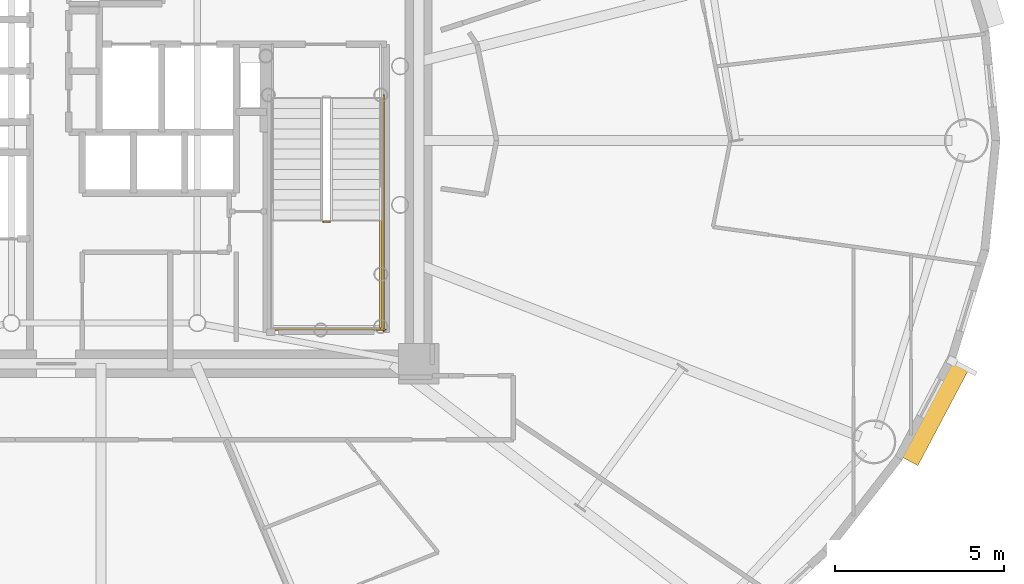
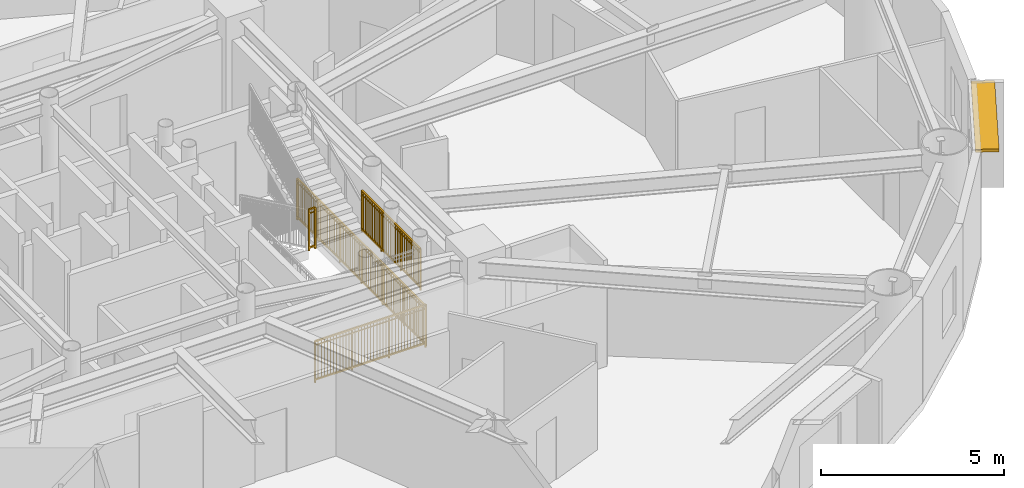
# One storey, part 19 of 21: 4 railings, 1 shading device.
"""IFC4 building model written with IfcOpenShell, lengths in metres."""

from ifc_helpers import new_model, si_unit, direction, frame, origin, origin_2d, place, context, subcontext, project, spatial, rectangle, extrude, source, transform, mapped, material, layer, layer_set, type_object, element, save


model = new_model("IFC4")

# Units and contexts
model_context = context("Model", 3, precision=1e-05, world=origin(), true_north=direction((0.0, 1.0)))
body_context = subcontext(model_context, "Body", "Model", "MODEL_VIEW")
ifc_project = project(units=[si_unit("LENGTHUNIT", "METRE"), si_unit("AREAUNIT", "SQUARE_METRE"), si_unit("VOLUMEUNIT", "CUBIC_METRE"), si_unit("PLANEANGLEUNIT", "RADIAN"), si_unit("MASSUNIT", "GRAM", prefix="KILO")], contexts=[model_context])

# Site, building, storey
site_placement = place(None, origin())
site = spatial("IfcSite", under=ifc_project, at=site_placement, CompositionType="ELEMENT")
building_placement = place(site_placement, origin())
building = spatial("IfcBuilding", under=site, at=building_placement, Name="Linh Dai School and Residence Tower", CompositionType="ELEMENT")
storey_placement = place(building_placement, frame((0.0, 0.0, 156.14990234375)))
storey = spatial("IfcBuildingStorey", under=building, at=storey_placement, Name="L37", CompositionType="ELEMENT", Elevation=156.14990234375)

# Shading device
ifc_material_1 = material(Name="Terracotta Ceramic Sunshade", Category="masonry")
ifc_layer = layer(ifc_material_1, 0.10009765625)
ifc_layer_set = layer_set([ifc_layer], Name="Terracotta Ceramic Sunshade")
shading_device_type = type_object("IfcShadingDeviceType", Name="SHD-TC-650", PredefinedType="USERDEFINED", material=ifc_layer_set)
shared_shape_1 = source(origin(), body_context, "Body", "SweptSolid", [
    extrude(rectangle(XDim=3.257568359375, YDim=0.64990234375, at=origin_2d()), origin(), (0.0, 0.0, 1.0), 0.10009765625),
])
shading_device_placement = place(storey_placement, frame((60.641357421875, 18.97802734375, 3.380126953125), z_axis=(0.0, 0.0, 1.0), x_axis=(-0.467580060884, -0.883950726378, 0.0)))
element("IfcShadingDevice", 1, at=shading_device_placement, inside=storey, type_object=shading_device_type, Name="L37 Terracotta Horizontal Sunshade Band 38", ObjectType="SUNSHADE", PredefinedType="USERDEFINED", context=body_context, shape_type="MappedRepresentation", body=[
    mapped(shared_shape_1, transform((0.0, 0.0, 0.0), x_axis=(1.0, 0.0, 0.0), y_axis=(0.0, 1.0, 0.0), z_axis=(0.0, 0.0, 1.0), scale=1.0)),
])

# Railings
ifc_material_2 = material(Name="Structural Steel S355JR", Category="steel")
railing_type = type_object("IfcRailingType", Name="RL-ST-GUARD-1400", PredefinedType="GUARDRAIL", material=ifc_material_2)
shared_shape_2 = source(origin(), body_context, "Body", "SweptSolid", [
    extrude(rectangle(XDim=0.048095703125, YDim=0.048095703125, at=origin_2d()), frame((0.0, 0.0, 1.3759765625), z_axis=(1.0, 0.0, 0.0), x_axis=(0.0, 1.0, 0.0)), (0.0, 0.0, 1.0), 0.199951171875),
    extrude(rectangle(XDim=0.048095703125, YDim=0.048095703125, at=origin_2d()), frame((0.0, 0.0, 0.10009765625), z_axis=(1.0, 0.0, 0.0), x_axis=(0.0, 1.0, 0.0)), (0.0, 0.0, 1.0), 0.199951171875),
    extrude(rectangle(XDim=0.030029296875, YDim=0.030029296875, at=origin_2d()), frame((0.0, 0.0, 1.239990234375), z_axis=(1.0, 0.0, 0.0), x_axis=(0.0, 1.0, 0.0)), (0.0, 0.0, 1.0), 0.199951171875),
    extrude(rectangle(XDim=0.0419921875, YDim=0.0419921875, at=origin_2d()), origin(), (0.0, 0.0, 1.0), 1.3759765625),
    extrude(rectangle(XDim=0.0419921875, YDim=0.0419921875, at=origin_2d()), frame((0.199951171875, 0.0, 0.0)), (0.0, 0.0, 1.0), 1.3759765625),
])
railing_1_placement = place(storey_placement, frame((42.570068359375, 24.60009765625, 1.875)))
element("IfcRailing", 2, at=railing_1_placement, inside=storey, type_object=railing_type, Name="L37 ST2 stair guard 2", PredefinedType="GUARDRAIL", context=body_context, shape_type="MappedRepresentation", body=[
    mapped(shared_shape_2, transform((0.0, 0.0, 0.0), x_axis=(1.0, 0.0, 0.0), y_axis=(0.0, 1.0, 0.0), z_axis=(0.0, 0.0, 1.0), scale=1.0)),
])
shared_shape_3 = source(origin(), body_context, "Body", "SweptSolid", [
    extrude(rectangle(XDim=0.048095703125, YDim=0.048095703125, at=origin_2d()), frame((0.0, 0.0, 1.3759765625), z_axis=(0.0, -1.0, 0.0), x_axis=(1.0, 0.0, 0.0)), (0.0, 0.0, 1.0), 7.0),
    extrude(rectangle(XDim=0.048095703125, YDim=0.048095703125, at=origin_2d()), frame((0.0, 0.0, 0.10009765625), z_axis=(0.0, -1.0, 0.0), x_axis=(1.0, 0.0, 0.0)), (0.0, 0.0, 1.0), 7.0),
    extrude(rectangle(XDim=0.030029296875, YDim=0.030029296875, at=origin_2d()), frame((0.0, 0.0, 1.239990234375), z_axis=(0.0, -1.0, 0.0), x_axis=(1.0, 0.0, 0.0)), (0.0, 0.0, 1.0), 7.0),
    extrude(rectangle(XDim=0.02001953125, YDim=0.02001953125, at=origin_2d()), frame((0.0, -0.09716796875, 0.10009765625)), (0.0, 0.0, 1.0), 1.251708984375),
    extrude(rectangle(XDim=0.02001953125, YDim=0.02001953125, at=origin_2d()), frame((0.0, -0.1943359375, 0.10009765625)), (0.0, 0.0, 1.0), 1.251708984375),
    extrude(rectangle(XDim=0.02001953125, YDim=0.02001953125, at=origin_2d()), frame((0.0, -0.291748046875, 0.10009765625)), (0.0, 0.0, 1.0), 1.251708984375),
    extrude(rectangle(XDim=0.02001953125, YDim=0.02001953125, at=origin_2d()), frame((0.0, -0.388916015625, 0.10009765625)), (0.0, 0.0, 1.0), 1.251708984375),
    extrude(rectangle(XDim=0.02001953125, YDim=0.02001953125, at=origin_2d()), frame((0.0, -0.486083984375, 0.10009765625)), (0.0, 0.0, 1.0), 1.251708984375),
    extrude(rectangle(XDim=0.02001953125, YDim=0.02001953125, at=origin_2d()), frame((0.0, -0.583251953125, 0.10009765625)), (0.0, 0.0, 1.0), 1.251708984375),
    extrude(rectangle(XDim=0.02001953125, YDim=0.02001953125, at=origin_2d()), frame((0.0, -0.6806640625, 0.10009765625)), (0.0, 0.0, 1.0), 1.251708984375),
    extrude(rectangle(XDim=0.02001953125, YDim=0.02001953125, at=origin_2d()), frame((0.0, -0.77783203125, 0.10009765625)), (0.0, 0.0, 1.0), 1.251708984375),
    extrude(rectangle(XDim=0.02001953125, YDim=0.02001953125, at=origin_2d()), frame((0.0, -0.875, 0.10009765625)), (0.0, 0.0, 1.0), 1.251708984375),
    extrude(rectangle(XDim=0.02001953125, YDim=0.02001953125, at=origin_2d()), frame((0.0, -0.97216796875, 0.10009765625)), (0.0, 0.0, 1.0), 1.251708984375),
    extrude(rectangle(XDim=0.02001953125, YDim=0.02001953125, at=origin_2d()), frame((0.0, -1.0693359375, 0.10009765625)), (0.0, 0.0, 1.0), 1.251708984375),
    extrude(rectangle(XDim=0.02001953125, YDim=0.02001953125, at=origin_2d()), frame((0.0, -1.263916015625, 0.10009765625)), (0.0, 0.0, 1.0), 1.251708984375),
    extrude(rectangle(XDim=0.02001953125, YDim=0.02001953125, at=origin_2d()), frame((0.0, -1.361083984375, 0.10009765625)), (0.0, 0.0, 1.0), 1.251708984375),
    extrude(rectangle(XDim=0.02001953125, YDim=0.02001953125, at=origin_2d()), frame((0.0, -1.458251953125, 0.10009765625)), (0.0, 0.0, 1.0), 1.251708984375),
    extrude(rectangle(XDim=0.02001953125, YDim=0.02001953125, at=origin_2d()), frame((0.0, -1.5556640625, 0.10009765625)), (0.0, 0.0, 1.0), 1.251708984375),
    extrude(rectangle(XDim=0.02001953125, YDim=0.02001953125, at=origin_2d()), frame((0.0, -1.65283203125, 0.10009765625)), (0.0, 0.0, 1.0), 1.251708984375),
    extrude(rectangle(XDim=0.02001953125, YDim=0.02001953125, at=origin_2d()), frame((0.0, -1.75, 0.10009765625)), (0.0, 0.0, 1.0), 1.251708984375),
    extrude(rectangle(XDim=0.02001953125, YDim=0.02001953125, at=origin_2d()), frame((0.0, -1.84716796875, 0.10009765625)), (0.0, 0.0, 1.0), 1.251708984375),
    extrude(rectangle(XDim=0.02001953125, YDim=0.02001953125, at=origin_2d()), frame((0.0, -1.9443359375, 0.10009765625)), (0.0, 0.0, 1.0), 1.251708984375),
    extrude(rectangle(XDim=0.02001953125, YDim=0.02001953125, at=origin_2d()), frame((0.0, -2.041748046875, 0.10009765625)), (0.0, 0.0, 1.0), 1.251708984375),
    extrude(rectangle(XDim=0.02001953125, YDim=0.02001953125, at=origin_2d()), frame((0.0, -2.138916015625, 0.10009765625)), (0.0, 0.0, 1.0), 1.251708984375),
    extrude(rectangle(XDim=0.02001953125, YDim=0.02001953125, at=origin_2d()), frame((0.0, -2.236083984375, 0.10009765625)), (0.0, 0.0, 1.0), 1.251708984375),
    extrude(rectangle(XDim=0.02001953125, YDim=0.02001953125, at=origin_2d()), frame((0.0, -2.4306640625, 0.10009765625)), (0.0, 0.0, 1.0), 1.251708984375),
    extrude(rectangle(XDim=0.02001953125, YDim=0.02001953125, at=origin_2d()), frame((0.0, -2.52783203125, 0.10009765625)), (0.0, 0.0, 1.0), 1.251708984375),
    extrude(rectangle(XDim=0.02001953125, YDim=0.02001953125, at=origin_2d()), frame((0.0, -2.625, 0.10009765625)), (0.0, 0.0, 1.0), 1.251708984375),
    extrude(rectangle(XDim=0.02001953125, YDim=0.02001953125, at=origin_2d()), frame((0.0, -2.72216796875, 0.10009765625)), (0.0, 0.0, 1.0), 1.251708984375),
    extrude(rectangle(XDim=0.02001953125, YDim=0.02001953125, at=origin_2d()), frame((0.0, -2.8193359375, 0.10009765625)), (0.0, 0.0, 1.0), 1.251708984375),
    extrude(rectangle(XDim=0.02001953125, YDim=0.02001953125, at=origin_2d()), frame((0.0, -2.916748046875, 0.10009765625)), (0.0, 0.0, 1.0), 1.251708984375),
    extrude(rectangle(XDim=0.02001953125, YDim=0.02001953125, at=origin_2d()), frame((0.0, -3.013916015625, 0.10009765625)), (0.0, 0.0, 1.0), 1.251708984375),
    extrude(rectangle(XDim=0.02001953125, YDim=0.02001953125, at=origin_2d()), frame((0.0, -3.111083984375, 0.10009765625)), (0.0, 0.0, 1.0), 1.251708984375),
    extrude(rectangle(XDim=0.02001953125, YDim=0.02001953125, at=origin_2d()), frame((0.0, -3.208251953125, 0.10009765625)), (0.0, 0.0, 1.0), 1.251708984375),
    extrude(rectangle(XDim=0.02001953125, YDim=0.02001953125, at=origin_2d()), frame((0.0, -3.3056640625, 0.10009765625)), (0.0, 0.0, 1.0), 1.251708984375),
    extrude(rectangle(XDim=0.02001953125, YDim=0.02001953125, at=origin_2d()), frame((0.0, -3.40283203125, 0.10009765625)), (0.0, 0.0, 1.0), 1.251708984375),
    extrude(rectangle(XDim=0.02001953125, YDim=0.02001953125, at=origin_2d()), frame((0.0, -3.59716796875, 0.10009765625)), (0.0, 0.0, 1.0), 1.251708984375),
    extrude(rectangle(XDim=0.02001953125, YDim=0.02001953125, at=origin_2d()), frame((0.0, -3.6943359375, 0.10009765625)), (0.0, 0.0, 1.0), 1.251708984375),
    extrude(rectangle(XDim=0.02001953125, YDim=0.02001953125, at=origin_2d()), frame((0.0, -3.791748046875, 0.10009765625)), (0.0, 0.0, 1.0), 1.251708984375),
    extrude(rectangle(XDim=0.02001953125, YDim=0.02001953125, at=origin_2d()), frame((0.0, -3.888916015625, 0.10009765625)), (0.0, 0.0, 1.0), 1.251708984375),
    extrude(rectangle(XDim=0.02001953125, YDim=0.02001953125, at=origin_2d()), frame((0.0, -3.986083984375, 0.10009765625)), (0.0, 0.0, 1.0), 1.251708984375),
    extrude(rectangle(XDim=0.02001953125, YDim=0.02001953125, at=origin_2d()), frame((0.0, -4.083251953125, 0.10009765625)), (0.0, 0.0, 1.0), 1.251708984375),
    extrude(rectangle(XDim=0.02001953125, YDim=0.02001953125, at=origin_2d()), frame((0.0, -4.1806640625, 0.10009765625)), (0.0, 0.0, 1.0), 1.251708984375),
    extrude(rectangle(XDim=0.02001953125, YDim=0.02001953125, at=origin_2d()), frame((0.0, -4.27783203125, 0.10009765625)), (0.0, 0.0, 1.0), 1.251708984375),
    extrude(rectangle(XDim=0.02001953125, YDim=0.02001953125, at=origin_2d()), frame((0.0, -4.375, 0.10009765625)), (0.0, 0.0, 1.0), 1.251708984375),
    extrude(rectangle(XDim=0.02001953125, YDim=0.02001953125, at=origin_2d()), frame((0.0, -4.47216796875, 0.10009765625)), (0.0, 0.0, 1.0), 1.251708984375),
    extrude(rectangle(XDim=0.02001953125, YDim=0.02001953125, at=origin_2d()), frame((0.0, -4.5693359375, 0.10009765625)), (0.0, 0.0, 1.0), 1.251708984375),
    extrude(rectangle(XDim=0.02001953125, YDim=0.02001953125, at=origin_2d()), frame((0.0, -4.763916015625, 0.10009765625)), (0.0, 0.0, 1.0), 1.251708984375),
    extrude(rectangle(XDim=0.02001953125, YDim=0.02001953125, at=origin_2d()), frame((0.0, -4.861083984375, 0.10009765625)), (0.0, 0.0, 1.0), 1.251708984375),
    extrude(rectangle(XDim=0.02001953125, YDim=0.02001953125, at=origin_2d()), frame((0.0, -4.958251953125, 0.10009765625)), (0.0, 0.0, 1.0), 1.251708984375),
    extrude(rectangle(XDim=0.02001953125, YDim=0.02001953125, at=origin_2d()), frame((0.0, -5.0556640625, 0.10009765625)), (0.0, 0.0, 1.0), 1.251708984375),
    extrude(rectangle(XDim=0.02001953125, YDim=0.02001953125, at=origin_2d()), frame((0.0, -5.15283203125, 0.10009765625)), (0.0, 0.0, 1.0), 1.251708984375),
    extrude(rectangle(XDim=0.02001953125, YDim=0.02001953125, at=origin_2d()), frame((0.0, -5.25, 0.10009765625)), (0.0, 0.0, 1.0), 1.251708984375),
    extrude(rectangle(XDim=0.02001953125, YDim=0.02001953125, at=origin_2d()), frame((0.0, -5.34716796875, 0.10009765625)), (0.0, 0.0, 1.0), 1.251708984375),
    extrude(rectangle(XDim=0.02001953125, YDim=0.02001953125, at=origin_2d()), frame((0.0, -5.4443359375, 0.10009765625)), (0.0, 0.0, 1.0), 1.251708984375),
    extrude(rectangle(XDim=0.02001953125, YDim=0.02001953125, at=origin_2d()), frame((0.0, -5.541748046875, 0.10009765625)), (0.0, 0.0, 1.0), 1.251708984375),
    extrude(rectangle(XDim=0.02001953125, YDim=0.02001953125, at=origin_2d()), frame((0.0, -5.638916015625, 0.10009765625)), (0.0, 0.0, 1.0), 1.251708984375),
    extrude(rectangle(XDim=0.02001953125, YDim=0.02001953125, at=origin_2d()), frame((0.0, -5.736083984375, 0.10009765625)), (0.0, 0.0, 1.0), 1.251708984375),
    extrude(rectangle(XDim=0.02001953125, YDim=0.02001953125, at=origin_2d()), frame((0.0, -5.9306640625, 0.10009765625)), (0.0, 0.0, 1.0), 1.251708984375),
    extrude(rectangle(XDim=0.02001953125, YDim=0.02001953125, at=origin_2d()), frame((0.0, -6.02783203125, 0.10009765625)), (0.0, 0.0, 1.0), 1.251708984375),
    extrude(rectangle(XDim=0.02001953125, YDim=0.02001953125, at=origin_2d()), frame((0.0, -6.125, 0.10009765625)), (0.0, 0.0, 1.0), 1.251708984375),
    extrude(rectangle(XDim=0.02001953125, YDim=0.02001953125, at=origin_2d()), frame((0.0, -6.22216796875, 0.10009765625)), (0.0, 0.0, 1.0), 1.251708984375),
    extrude(rectangle(XDim=0.02001953125, YDim=0.02001953125, at=origin_2d()), frame((0.0, -6.3193359375, 0.10009765625)), (0.0, 0.0, 1.0), 1.251708984375),
    extrude(rectangle(XDim=0.02001953125, YDim=0.02001953125, at=origin_2d()), frame((0.0, -6.416748046875, 0.10009765625)), (0.0, 0.0, 1.0), 1.251708984375),
    extrude(rectangle(XDim=0.02001953125, YDim=0.02001953125, at=origin_2d()), frame((0.0, -6.513916015625, 0.10009765625)), (0.0, 0.0, 1.0), 1.251708984375),
    extrude(rectangle(XDim=0.02001953125, YDim=0.02001953125, at=origin_2d()), frame((0.0, -6.611083984375, 0.10009765625)), (0.0, 0.0, 1.0), 1.251708984375),
    extrude(rectangle(XDim=0.02001953125, YDim=0.02001953125, at=origin_2d()), frame((0.0, -6.708251953125, 0.10009765625)), (0.0, 0.0, 1.0), 1.251708984375),
    extrude(rectangle(XDim=0.02001953125, YDim=0.02001953125, at=origin_2d()), frame((0.0, -6.8056640625, 0.10009765625)), (0.0, 0.0, 1.0), 1.251708984375),
    extrude(rectangle(XDim=0.02001953125, YDim=0.02001953125, at=origin_2d()), frame((0.0, -6.90283203125, 0.10009765625)), (0.0, 0.0, 1.0), 1.251708984375),
    extrude(rectangle(XDim=0.0419921875, YDim=0.0419921875, at=origin_2d()), origin(), (0.0, 0.0, 1.0), 1.3759765625),
    extrude(rectangle(XDim=0.0419921875, YDim=0.0419921875, at=origin_2d()), frame((0.0, -1.166748046875, 0.0)), (0.0, 0.0, 1.0), 1.3759765625),
    extrude(rectangle(XDim=0.0419921875, YDim=0.0419921875, at=origin_2d()), frame((0.0, -2.333251953125, 0.0)), (0.0, 0.0, 1.0), 1.3759765625),
    extrude(rectangle(XDim=0.0419921875, YDim=0.0419921875, at=origin_2d()), frame((0.0, -3.5, 0.0)), (0.0, 0.0, 1.0), 1.3759765625),
    extrude(rectangle(XDim=0.0419921875, YDim=0.0419921875, at=origin_2d()), frame((0.0, -4.666748046875, 0.0)), (0.0, 0.0, 1.0), 1.3759765625),
    extrude(rectangle(XDim=0.0419921875, YDim=0.0419921875, at=origin_2d()), frame((0.0, -5.833251953125, 0.0)), (0.0, 0.0, 1.0), 1.3759765625),
    extrude(rectangle(XDim=0.0419921875, YDim=0.0419921875, at=origin_2d()), frame((0.0, -7.0, 0.0)), (0.0, 0.0, 1.0), 1.3759765625),
])
railing_2_placement = place(storey_placement, frame((44.3701171875, 28.35009765625, 0.0)))
element("IfcRailing", 3, at=railing_2_placement, inside=storey, type_object=railing_type, Name="L37 ST2 stair guard 11", PredefinedType="GUARDRAIL", context=body_context, shape_type="MappedRepresentation", body=[
    mapped(shared_shape_3, transform((0.0, 0.0, 0.0), x_axis=(1.0, 0.0, 0.0), y_axis=(0.0, 1.0, 0.0), z_axis=(0.0, 0.0, 1.0), scale=1.0)),
])
shared_shape_4 = source(origin(), body_context, "Body", "SweptSolid", [
    extrude(rectangle(XDim=0.048095703125, YDim=0.048095703125, at=origin_2d()), frame((0.0, 0.0, 1.3759765625), z_axis=(1.0, 0.0, 0.0), x_axis=(0.0, 1.0, 0.0)), (0.0, 0.0, 1.0), 3.5),
    extrude(rectangle(XDim=0.048095703125, YDim=0.048095703125, at=origin_2d()), frame((0.0, 0.0, 0.10009765625), z_axis=(1.0, 0.0, 0.0), x_axis=(0.0, 1.0, 0.0)), (0.0, 0.0, 1.0), 3.5),
    extrude(rectangle(XDim=0.030029296875, YDim=0.030029296875, at=origin_2d()), frame((0.0, 0.0, 1.239990234375), z_axis=(1.0, 0.0, 0.0), x_axis=(0.0, 1.0, 0.0)), (0.0, 0.0, 1.0), 3.5),
    extrude(rectangle(XDim=0.02001953125, YDim=0.02001953125, at=origin_2d()), frame((0.09716796875, 0.0, 0.10009765625)), (0.0, 0.0, 1.0), 1.251708984375),
    extrude(rectangle(XDim=0.02001953125, YDim=0.02001953125, at=origin_2d()), frame((0.1943359375, 0.0, 0.10009765625)), (0.0, 0.0, 1.0), 1.251708984375),
    extrude(rectangle(XDim=0.02001953125, YDim=0.02001953125, at=origin_2d()), frame((0.291748046875, 0.0, 0.10009765625)), (0.0, 0.0, 1.0), 1.251708984375),
    extrude(rectangle(XDim=0.02001953125, YDim=0.02001953125, at=origin_2d()), frame((0.388916015625, 0.0, 0.10009765625)), (0.0, 0.0, 1.0), 1.251708984375),
    extrude(rectangle(XDim=0.02001953125, YDim=0.02001953125, at=origin_2d()), frame((0.486083984375, 0.0, 0.10009765625)), (0.0, 0.0, 1.0), 1.251708984375),
    extrude(rectangle(XDim=0.02001953125, YDim=0.02001953125, at=origin_2d()), frame((0.583251953125, 0.0, 0.10009765625)), (0.0, 0.0, 1.0), 1.251708984375),
    extrude(rectangle(XDim=0.02001953125, YDim=0.02001953125, at=origin_2d()), frame((0.6806640625, 0.0, 0.10009765625)), (0.0, 0.0, 1.0), 1.251708984375),
    extrude(rectangle(XDim=0.02001953125, YDim=0.02001953125, at=origin_2d()), frame((0.77783203125, 0.0, 0.10009765625)), (0.0, 0.0, 1.0), 1.251708984375),
    extrude(rectangle(XDim=0.02001953125, YDim=0.02001953125, at=origin_2d()), frame((0.875, 0.0, 0.10009765625)), (0.0, 0.0, 1.0), 1.251708984375),
    extrude(rectangle(XDim=0.02001953125, YDim=0.02001953125, at=origin_2d()), frame((0.97216796875, 0.0, 0.10009765625)), (0.0, 0.0, 1.0), 1.251708984375),
    extrude(rectangle(XDim=0.02001953125, YDim=0.02001953125, at=origin_2d()), frame((1.0693359375, 0.0, 0.10009765625)), (0.0, 0.0, 1.0), 1.251708984375),
    extrude(rectangle(XDim=0.02001953125, YDim=0.02001953125, at=origin_2d()), frame((1.263916015625, 0.0, 0.10009765625)), (0.0, 0.0, 1.0), 1.251708984375),
    extrude(rectangle(XDim=0.02001953125, YDim=0.02001953125, at=origin_2d()), frame((1.361083984375, 0.0, 0.10009765625)), (0.0, 0.0, 1.0), 1.251708984375),
    extrude(rectangle(XDim=0.02001953125, YDim=0.02001953125, at=origin_2d()), frame((1.458251953125, 0.0, 0.10009765625)), (0.0, 0.0, 1.0), 1.251708984375),
    extrude(rectangle(XDim=0.02001953125, YDim=0.02001953125, at=origin_2d()), frame((1.5556640625, 0.0, 0.10009765625)), (0.0, 0.0, 1.0), 1.251708984375),
    extrude(rectangle(XDim=0.02001953125, YDim=0.02001953125, at=origin_2d()), frame((1.65283203125, 0.0, 0.10009765625)), (0.0, 0.0, 1.0), 1.251708984375),
    extrude(rectangle(XDim=0.02001953125, YDim=0.02001953125, at=origin_2d()), frame((1.75, 0.0, 0.10009765625)), (0.0, 0.0, 1.0), 1.251708984375),
    extrude(rectangle(XDim=0.02001953125, YDim=0.02001953125, at=origin_2d()), frame((1.84716796875, 0.0, 0.10009765625)), (0.0, 0.0, 1.0), 1.251708984375),
    extrude(rectangle(XDim=0.02001953125, YDim=0.02001953125, at=origin_2d()), frame((1.9443359375, 0.0, 0.10009765625)), (0.0, 0.0, 1.0), 1.251708984375),
    extrude(rectangle(XDim=0.02001953125, YDim=0.02001953125, at=origin_2d()), frame((2.041748046875, 0.0, 0.10009765625)), (0.0, 0.0, 1.0), 1.251708984375),
    extrude(rectangle(XDim=0.02001953125, YDim=0.02001953125, at=origin_2d()), frame((2.138916015625, 0.0, 0.10009765625)), (0.0, 0.0, 1.0), 1.251708984375),
    extrude(rectangle(XDim=0.02001953125, YDim=0.02001953125, at=origin_2d()), frame((2.236083984375, 0.0, 0.10009765625)), (0.0, 0.0, 1.0), 1.251708984375),
    extrude(rectangle(XDim=0.02001953125, YDim=0.02001953125, at=origin_2d()), frame((2.4306640625, 0.0, 0.10009765625)), (0.0, 0.0, 1.0), 1.251708984375),
    extrude(rectangle(XDim=0.02001953125, YDim=0.02001953125, at=origin_2d()), frame((2.52783203125, 0.0, 0.10009765625)), (0.0, 0.0, 1.0), 1.251708984375),
    extrude(rectangle(XDim=0.02001953125, YDim=0.02001953125, at=origin_2d()), frame((2.625, 0.0, 0.10009765625)), (0.0, 0.0, 1.0), 1.251708984375),
    extrude(rectangle(XDim=0.02001953125, YDim=0.02001953125, at=origin_2d()), frame((2.72216796875, 0.0, 0.10009765625)), (0.0, 0.0, 1.0), 1.251708984375),
    extrude(rectangle(XDim=0.02001953125, YDim=0.02001953125, at=origin_2d()), frame((2.8193359375, 0.0, 0.10009765625)), (0.0, 0.0, 1.0), 1.251708984375),
    extrude(rectangle(XDim=0.02001953125, YDim=0.02001953125, at=origin_2d()), frame((2.916748046875, 0.0, 0.10009765625)), (0.0, 0.0, 1.0), 1.251708984375),
    extrude(rectangle(XDim=0.02001953125, YDim=0.02001953125, at=origin_2d()), frame((3.013916015625, 0.0, 0.10009765625)), (0.0, 0.0, 1.0), 1.251708984375),
    extrude(rectangle(XDim=0.02001953125, YDim=0.02001953125, at=origin_2d()), frame((3.111083984375, 0.0, 0.10009765625)), (0.0, 0.0, 1.0), 1.251708984375),
    extrude(rectangle(XDim=0.02001953125, YDim=0.02001953125, at=origin_2d()), frame((3.208251953125, 0.0, 0.10009765625)), (0.0, 0.0, 1.0), 1.251708984375),
    extrude(rectangle(XDim=0.02001953125, YDim=0.02001953125, at=origin_2d()), frame((3.3056640625, 0.0, 0.10009765625)), (0.0, 0.0, 1.0), 1.251708984375),
    extrude(rectangle(XDim=0.02001953125, YDim=0.02001953125, at=origin_2d()), frame((3.40283203125, 0.0, 0.10009765625)), (0.0, 0.0, 1.0), 1.251708984375),
    extrude(rectangle(XDim=0.0419921875, YDim=0.0419921875, at=origin_2d()), origin(), (0.0, 0.0, 1.0), 1.3759765625),
    extrude(rectangle(XDim=0.0419921875, YDim=0.0419921875, at=origin_2d()), frame((1.166748046875, 0.0, 0.0)), (0.0, 0.0, 1.0), 1.3759765625),
    extrude(rectangle(XDim=0.0419921875, YDim=0.0419921875, at=origin_2d()), frame((2.333251953125, 0.0, 0.0)), (0.0, 0.0, 1.0), 1.3759765625),
    extrude(rectangle(XDim=0.0419921875, YDim=0.0419921875, at=origin_2d()), frame((3.5, 0.0, 0.0)), (0.0, 0.0, 1.0), 1.3759765625),
])
railing_3_placement = place(storey_placement, frame((40.919921875, 21.39990234375, 0.0)))
element("IfcRailing", 4, at=railing_3_placement, inside=storey, type_object=railing_type, Name="L37 ST2 stair guard 12", PredefinedType="GUARDRAIL", context=body_context, shape_type="MappedRepresentation", body=[
    mapped(shared_shape_4, transform((0.0, 0.0, 0.0), x_axis=(1.0, 0.0, 0.0), y_axis=(0.0, 1.0, 0.0), z_axis=(0.0, 0.0, 1.0), scale=1.0)),
])
shared_shape_5 = source(origin(), body_context, "Body", "SweptSolid", [
    extrude(rectangle(XDim=0.048095703125, YDim=0.048095703125, at=origin_2d()), frame((0.0, 0.0, 1.3759765625), z_axis=(0.0, -1.0, 0.0), x_axis=(1.0, 0.0, 0.0)), (0.0, 0.0, 1.0), 3.199951171875),
    extrude(rectangle(XDim=0.048095703125, YDim=0.048095703125, at=origin_2d()), frame((0.0, 0.0, 0.10009765625), z_axis=(0.0, -1.0, 0.0), x_axis=(1.0, 0.0, 0.0)), (0.0, 0.0, 1.0), 3.199951171875),
    extrude(rectangle(XDim=0.030029296875, YDim=0.030029296875, at=origin_2d()), frame((0.0, 0.0, 1.239990234375), z_axis=(0.0, -1.0, 0.0), x_axis=(1.0, 0.0, 0.0)), (0.0, 0.0, 1.0), 3.199951171875),
    extrude(rectangle(XDim=0.02001953125, YDim=0.02001953125, at=origin_2d()), frame((0.0, -0.096923828125, 0.10009765625)), (0.0, 0.0, 1.0), 1.251708984375),
    extrude(rectangle(XDim=0.02001953125, YDim=0.02001953125, at=origin_2d()), frame((0.0, -0.19384765625, 0.10009765625)), (0.0, 0.0, 1.0), 1.251708984375),
    extrude(rectangle(XDim=0.02001953125, YDim=0.02001953125, at=origin_2d()), frame((0.0, -0.291015625, 0.10009765625)), (0.0, 0.0, 1.0), 1.251708984375),
    extrude(rectangle(XDim=0.02001953125, YDim=0.02001953125, at=origin_2d()), frame((0.0, -0.387939453125, 0.10009765625)), (0.0, 0.0, 1.0), 1.251708984375),
    extrude(rectangle(XDim=0.02001953125, YDim=0.02001953125, at=origin_2d()), frame((0.0, -0.48486328125, 0.10009765625)), (0.0, 0.0, 1.0), 1.251708984375),
    extrude(rectangle(XDim=0.02001953125, YDim=0.02001953125, at=origin_2d()), frame((0.0, -0.581787109375, 0.10009765625)), (0.0, 0.0, 1.0), 1.251708984375),
    extrude(rectangle(XDim=0.02001953125, YDim=0.02001953125, at=origin_2d()), frame((0.0, -0.6787109375, 0.10009765625)), (0.0, 0.0, 1.0), 1.251708984375),
    extrude(rectangle(XDim=0.02001953125, YDim=0.02001953125, at=origin_2d()), frame((0.0, -0.775634765625, 0.10009765625)), (0.0, 0.0, 1.0), 1.251708984375),
    extrude(rectangle(XDim=0.02001953125, YDim=0.02001953125, at=origin_2d()), frame((0.0, -0.872802734375, 0.10009765625)), (0.0, 0.0, 1.0), 1.251708984375),
    extrude(rectangle(XDim=0.02001953125, YDim=0.02001953125, at=origin_2d()), frame((0.0, -0.9697265625, 0.10009765625)), (0.0, 0.0, 1.0), 1.251708984375),
    extrude(rectangle(XDim=0.02001953125, YDim=0.02001953125, at=origin_2d()), frame((0.0, -1.16357421875, 0.10009765625)), (0.0, 0.0, 1.0), 1.251708984375),
    extrude(rectangle(XDim=0.02001953125, YDim=0.02001953125, at=origin_2d()), frame((0.0, -1.260498046875, 0.10009765625)), (0.0, 0.0, 1.0), 1.251708984375),
    extrude(rectangle(XDim=0.02001953125, YDim=0.02001953125, at=origin_2d()), frame((0.0, -1.357666015625, 0.10009765625)), (0.0, 0.0, 1.0), 1.251708984375),
    extrude(rectangle(XDim=0.02001953125, YDim=0.02001953125, at=origin_2d()), frame((0.0, -1.45458984375, 0.10009765625)), (0.0, 0.0, 1.0), 1.251708984375),
    extrude(rectangle(XDim=0.02001953125, YDim=0.02001953125, at=origin_2d()), frame((0.0, -1.551513671875, 0.10009765625)), (0.0, 0.0, 1.0), 1.251708984375),
    extrude(rectangle(XDim=0.02001953125, YDim=0.02001953125, at=origin_2d()), frame((0.0, -1.6484375, 0.10009765625)), (0.0, 0.0, 1.0), 1.251708984375),
    extrude(rectangle(XDim=0.02001953125, YDim=0.02001953125, at=origin_2d()), frame((0.0, -1.745361328125, 0.10009765625)), (0.0, 0.0, 1.0), 1.251708984375),
    extrude(rectangle(XDim=0.02001953125, YDim=0.02001953125, at=origin_2d()), frame((0.0, -1.84228515625, 0.10009765625)), (0.0, 0.0, 1.0), 1.251708984375),
    extrude(rectangle(XDim=0.02001953125, YDim=0.02001953125, at=origin_2d()), frame((0.0, -1.939453125, 0.10009765625)), (0.0, 0.0, 1.0), 1.251708984375),
    extrude(rectangle(XDim=0.02001953125, YDim=0.02001953125, at=origin_2d()), frame((0.0, -2.036376953125, 0.10009765625)), (0.0, 0.0, 1.0), 1.251708984375),
    extrude(rectangle(XDim=0.02001953125, YDim=0.02001953125, at=origin_2d()), frame((0.0, -2.230224609375, 0.10009765625)), (0.0, 0.0, 1.0), 1.251708984375),
    extrude(rectangle(XDim=0.02001953125, YDim=0.02001953125, at=origin_2d()), frame((0.0, -2.3271484375, 0.10009765625)), (0.0, 0.0, 1.0), 1.251708984375),
    extrude(rectangle(XDim=0.02001953125, YDim=0.02001953125, at=origin_2d()), frame((0.0, -2.42431640625, 0.10009765625)), (0.0, 0.0, 1.0), 1.251708984375),
    extrude(rectangle(XDim=0.02001953125, YDim=0.02001953125, at=origin_2d()), frame((0.0, -2.521240234375, 0.10009765625)), (0.0, 0.0, 1.0), 1.251708984375),
    extrude(rectangle(XDim=0.02001953125, YDim=0.02001953125, at=origin_2d()), frame((0.0, -2.6181640625, 0.10009765625)), (0.0, 0.0, 1.0), 1.251708984375),
    extrude(rectangle(XDim=0.02001953125, YDim=0.02001953125, at=origin_2d()), frame((0.0, -2.715087890625, 0.10009765625)), (0.0, 0.0, 1.0), 1.251708984375),
    extrude(rectangle(XDim=0.02001953125, YDim=0.02001953125, at=origin_2d()), frame((0.0, -2.81201171875, 0.10009765625)), (0.0, 0.0, 1.0), 1.251708984375),
    extrude(rectangle(XDim=0.02001953125, YDim=0.02001953125, at=origin_2d()), frame((0.0, -2.908935546875, 0.10009765625)), (0.0, 0.0, 1.0), 1.251708984375),
    extrude(rectangle(XDim=0.02001953125, YDim=0.02001953125, at=origin_2d()), frame((0.0, -3.006103515625, 0.10009765625)), (0.0, 0.0, 1.0), 1.251708984375),
    extrude(rectangle(XDim=0.02001953125, YDim=0.02001953125, at=origin_2d()), frame((0.0, -3.10302734375, 0.10009765625)), (0.0, 0.0, 1.0), 1.251708984375),
    extrude(rectangle(XDim=0.0419921875, YDim=0.0419921875, at=origin_2d()), origin(), (0.0, 0.0, 1.0), 1.3759765625),
    extrude(rectangle(XDim=0.0419921875, YDim=0.0419921875, at=origin_2d()), frame((0.0, -1.066650390625, 0.0)), (0.0, 0.0, 1.0), 1.3759765625),
    extrude(rectangle(XDim=0.0419921875, YDim=0.0419921875, at=origin_2d()), frame((0.0, -2.13330078125, 0.0)), (0.0, 0.0, 1.0), 1.3759765625),
    extrude(rectangle(XDim=0.0419921875, YDim=0.0419921875, at=origin_2d()), frame((0.0, -3.199951171875, 0.0)), (0.0, 0.0, 1.0), 1.3759765625),
])
railing_4_placement = place(storey_placement, frame((44.27001953125, 24.64990234375, 1.875)))
element("IfcRailing", 5, at=railing_4_placement, inside=storey, type_object=railing_type, Name="L37 ST2 stair guard 4", PredefinedType="GUARDRAIL", context=body_context, shape_type="MappedRepresentation", body=[
    mapped(shared_shape_5, transform((0.0, 0.0, 0.0), x_axis=(1.0, 0.0, 0.0), y_axis=(0.0, 1.0, 0.0), z_axis=(0.0, 0.0, 1.0), scale=1.0)),
])

save(model, "model.ifc")
